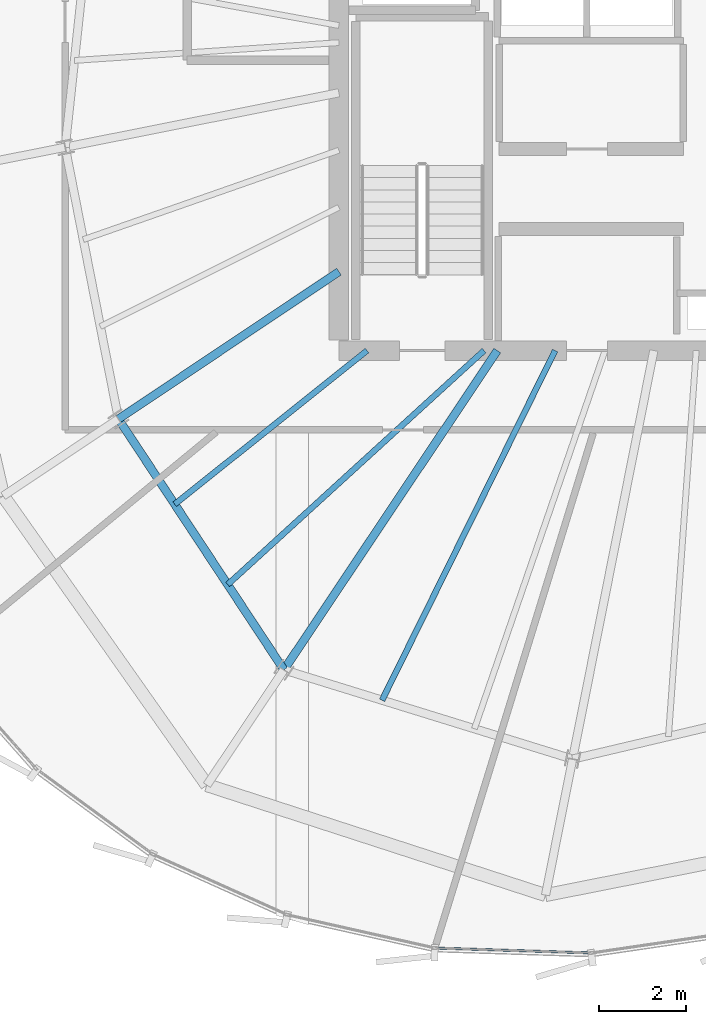
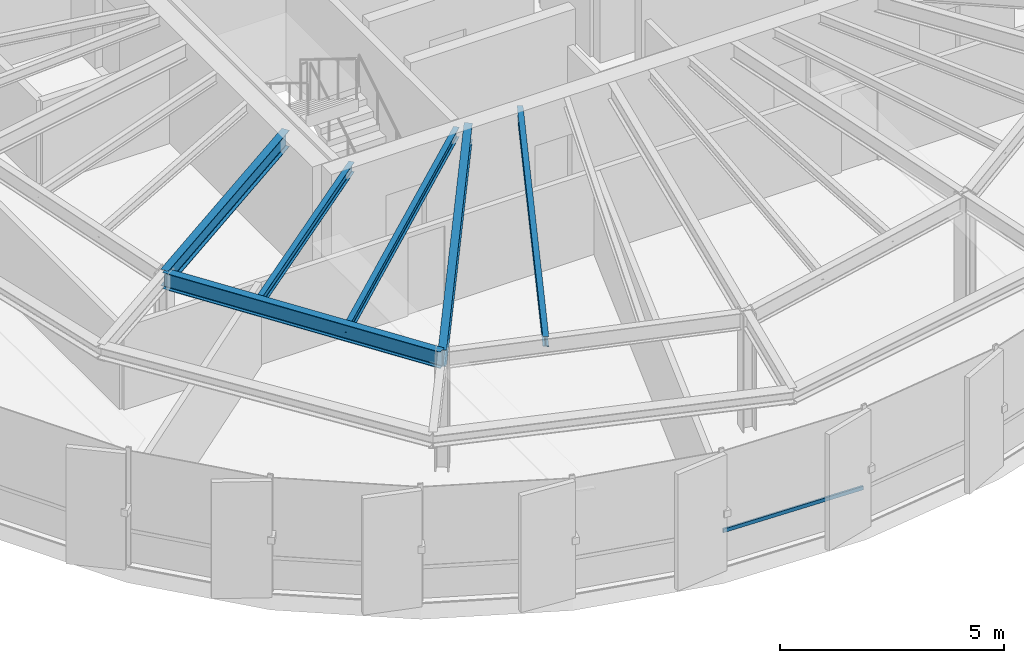
# One storey, part 5 of 36: 6 beams, 1 member, 1 element without a shape of its own.
"""IFC4 building model written with IfcOpenShell, lengths in metres."""

from ifc_helpers import new_model, si_unit, direction, frame, origin, origin_2d, place, context, subcontext, project, spatial, hollow_rectangle, i_section, extrude, source, transform, mapped, material, layer, layer_set, material_profile, profile_set, type_object, element, aggregate, save


model = new_model("IFC4")

# Units and contexts
model_context = context("Model", 3, precision=1e-05, world=origin(), true_north=direction((0.0, 1.0)))
body_context = subcontext(model_context, "Body", "Model", "MODEL_VIEW")
ifc_project = project(units=[si_unit("LENGTHUNIT", "METRE"), si_unit("AREAUNIT", "SQUARE_METRE"), si_unit("VOLUMEUNIT", "CUBIC_METRE"), si_unit("PLANEANGLEUNIT", "RADIAN"), si_unit("MASSUNIT", "GRAM", prefix="KILO"), si_unit("THERMODYNAMICTEMPERATUREUNIT", "KELVIN")], contexts=[model_context])

# Site, building, storey
site_placement = place(None, origin())
site = spatial("IfcSite", under=ifc_project, at=site_placement, CompositionType="ELEMENT")
building_placement = place(site_placement, origin())
building = spatial("IfcBuilding", under=site, at=building_placement, Name="Kethvar Cultural Tower", CompositionType="ELEMENT")
storey_placement = place(building_placement, frame((0.0, 0.0, 228.39990234375)))
storey = spatial("IfcBuildingStorey", under=building, at=storey_placement, Name="L59", CompositionType="ELEMENT", Elevation=228.39990234375)

# Beams
ifc_material_1 = material(Name="Steel S355J2", Category="steel")
ifc_material_profile_1 = material_profile(ifc_material_1, i_section(OverallWidth=0.18994140625, OverallDepth=0.449951171875, WebThickness=0.009521484375, FlangeThickness=0.0146484375, FilletRadius=0.02099609375, at=origin_2d()), Name="Steel S355J2 — IPE450")
ifc_profile_set_1 = profile_set([ifc_material_profile_1], Name="Steel S355J2 — IPE450")
beam_type_1 = type_object("IfcBeamType", Name="BM-IPE450", PredefinedType="BEAM", material=ifc_profile_set_1)
shared_shape_1 = source(origin(), body_context, "Body", "SweptSolid", [
    extrude(i_section(OverallWidth=0.18994140625, OverallDepth=0.449951171875, WebThickness=0.009521484375, FlangeThickness=0.0146484375, FilletRadius=0.02099609375, at=origin_2d()), origin(), (0.0, 0.0, 1.0), 6.118408203125),
])
beam_1_placement = place(storey_placement, frame((38.0, 21.920166015625, 2.983154296875), z_axis=(-0.831466631282, -0.555574694406, 0.0), x_axis=(0.555574694406, -0.831466631282, 0.0)))
element("IfcBeam", 1, at=beam_1_placement, inside=storey, type_object=beam_type_1, Name="L59 Primary Radial Beam RB-10", PredefinedType="BEAM", context=body_context, shape_type="MappedRepresentation", body=[
    mapped(shared_shape_1, transform((0.0, 0.0, 0.0), scale=1.0)),
])
shared_shape_2 = source(origin(), body_context, "Body", "SweptSolid", [
    extrude(i_section(OverallWidth=0.18994140625, OverallDepth=0.449951171875, WebThickness=0.009521484375, FlangeThickness=0.0146484375, FilletRadius=0.02099609375, at=origin_2d()), origin(), (0.0, 0.0, 1.0), 8.86279296875),
])
beam_2_placement = place(storey_placement, frame((41.655029296875, 20.10009765625, 2.983154296875), z_axis=(-0.555564443415, -0.831473480764, 0.0), x_axis=(0.831473480764, -0.555564443415, 0.0)))
element("IfcBeam", 2, at=beam_2_placement, inside=storey, type_object=beam_type_1, Name="L59 Primary Radial Beam RB-11", PredefinedType="BEAM", context=body_context, shape_type="MappedRepresentation", body=[
    mapped(shared_shape_2, transform((0.0, 0.0, 0.0), scale=1.0)),
])
shared_shape_3 = source(origin(), body_context, "Body", "SweptSolid", [
    extrude(i_section(OverallWidth=0.18994140625, OverallDepth=0.449951171875, WebThickness=0.009521484375, FlangeThickness=0.0146484375, FilletRadius=0.02099609375, at=origin_2d()), origin(), (0.0, 0.0, 1.0), 6.935791015625),
])
beam_3_placement = place(storey_placement, frame((32.912841796875, 18.52099609375, 2.983154296875), z_axis=(0.550534204139, -0.834812607759, 0.0), x_axis=(0.834812607759, 0.550534204139, 0.0)))
element("IfcBeam", 3, at=beam_3_placement, inside=storey, type_object=beam_type_1, Name="L59 Column Ring Tie Beam CR-10", PredefinedType="BEAM", context=body_context, shape_type="MappedRepresentation", body=[
    mapped(shared_shape_3, transform((0.0, 0.0, 0.0), scale=1.0)),
])
ifc_material_profile_2 = material_profile(ifc_material_1, i_section(OverallWidth=0.135009765625, OverallDepth=0.27001953125, WebThickness=0.006591796875, FlangeThickness=0.01025390625, FilletRadius=0.014892578125, at=origin_2d()), Name="Steel S355J2 — IPE270")
ifc_profile_set_2 = profile_set([ifc_material_profile_2], Name="Steel S355J2 — IPE270")
beam_type_2 = type_object("IfcBeamType", Name="BM-J270", PredefinedType="JOIST", material=ifc_profile_set_2)
shared_shape_4 = source(origin(), body_context, "Body", "SweptSolid", [
    extrude(i_section(OverallWidth=0.135009765625, OverallDepth=0.27001953125, WebThickness=0.006591796875, FlangeThickness=0.01025390625, FilletRadius=0.014892578125, at=origin_2d()), origin(), (0.0, 0.0, 1.0), 5.68212890625),
])
beam_4_placement = place(storey_placement, frame((38.64990234375, 20.10009765625, 3.072998046875), z_axis=(-0.781157957733, -0.624333440615, 0.0), x_axis=(0.624333440615, -0.781157957733, 0.0)))
element("IfcBeam", 4, at=beam_4_placement, inside=storey, type_object=beam_type_2, Name="L59 Composite Floor Joist J-10A", PredefinedType="JOIST", context=body_context, shape_type="MappedRepresentation", body=[
    mapped(shared_shape_4, transform((0.0, 0.0, 0.0), scale=1.0)),
])
shared_shape_5 = source(origin(), body_context, "Body", "SweptSolid", [
    extrude(i_section(OverallWidth=0.135009765625, OverallDepth=0.27001953125, WebThickness=0.006591796875, FlangeThickness=0.01025390625, FilletRadius=0.014892578125, at=origin_2d()), origin(), (0.0, 0.0, 1.0), 8.010986328125),
])
beam_5_placement = place(storey_placement, frame((41.35009765625, 20.10009765625, 3.072998046875), z_axis=(-0.738614798856, -0.674127717061, 0.0), x_axis=(0.674127717061, -0.738614798856, 0.0)))
element("IfcBeam", 5, at=beam_5_placement, inside=storey, type_object=beam_type_2, Name="L59 Composite Floor Joist J-10B", PredefinedType="JOIST", context=body_context, shape_type="MappedRepresentation", body=[
    mapped(shared_shape_5, transform((0.0, 0.0, 0.0), scale=1.0)),
])
shared_shape_6 = source(origin(), body_context, "Body", "SweptSolid", [
    extrude(i_section(OverallWidth=0.135009765625, OverallDepth=0.27001953125, WebThickness=0.006591796875, FlangeThickness=0.01025390625, FilletRadius=0.014892578125, at=origin_2d()), origin(), (0.0, 0.0, 1.0), 9.00341796875),
])
beam_6_placement = place(storey_placement, frame((42.989501953125, 20.10009765625, 3.072998046875), z_axis=(-0.443543695319, -0.896252749141, 0.0), x_axis=(0.896252749141, -0.443543695319, 0.0)))
element("IfcBeam", 6, at=beam_6_placement, inside=storey, type_object=beam_type_2, Name="L59 Composite Floor Joist J-11A", PredefinedType="JOIST", context=body_context, shape_type="MappedRepresentation", body=[
    mapped(shared_shape_6, transform((0.0, 0.0, 0.0), scale=1.0)),
])

# Curtain wall, member
ifc_material_2 = material(Name="Aluminium 6063-T6", Category="aluminium")
ifc_layer = layer(ifc_material_2, 0.179931640625, Name="Aluminium 6063-T6", Category="aluminium")
ifc_layer_set = layer_set([ifc_layer], Name="Aluminium 6063-T6 (180 mm)")
curtain_wall_type = type_object("IfcCurtainWallType", Name="CW-SYS-05-Z56", PredefinedType="NOTDEFINED", material=ifc_layer_set)
curtain_wall_placement = place(storey_placement, origin())
curtain_wall = element("IfcCurtainWall", 7, at=curtain_wall_placement, inside=storey, type_object=curtain_wall_type, Name="L59 Curtain Wall Run 04", PredefinedType="NOTDEFINED")
ifc_material_profile_3 = material_profile(ifc_material_2, hollow_rectangle(XDim=0.050048828125, YDim=0.10009765625, WallThickness=0.00390625, at=origin_2d()), Name="Aluminium 6063-T6 — RHS100x50x4")
ifc_profile_set_3 = profile_set([ifc_material_profile_3], Name="Aluminium 6063-T6 — RHS100x50x4")
member_type = type_object("IfcMemberType", Name="CW-SYS-05-Z56-TRN", PredefinedType="USERDEFINED", material=ifc_profile_set_3)
shared_shape_7 = source(origin(), body_context, "Body", "SweptSolid", [
    extrude(hollow_rectangle(XDim=0.050048828125, YDim=0.10009765625, WallThickness=0.00390625, at=origin_2d()), origin(), (0.0, 0.0, 1.0), 3.54736328125),
])
member_placement = place(storey_placement, frame((40.25390625, 6.310302734375, 0.9501953125), z_axis=(0.999507432171, -0.031383005513, 0.0), x_axis=(0.031383005513, 0.999507432171, 0.0)))
member = element("IfcMember", 8, at=member_placement, type_object=member_type, Name="CW-L59-R04 Transom 4", ObjectType="TRANSOM", PredefinedType="USERDEFINED", context=body_context, shape_type="MappedRepresentation", body=[
    mapped(shared_shape_7, transform((0.0, 0.0, 0.0), scale=1.0)),
])
aggregate(curtain_wall, [member])

save(model, "model.ifc")
